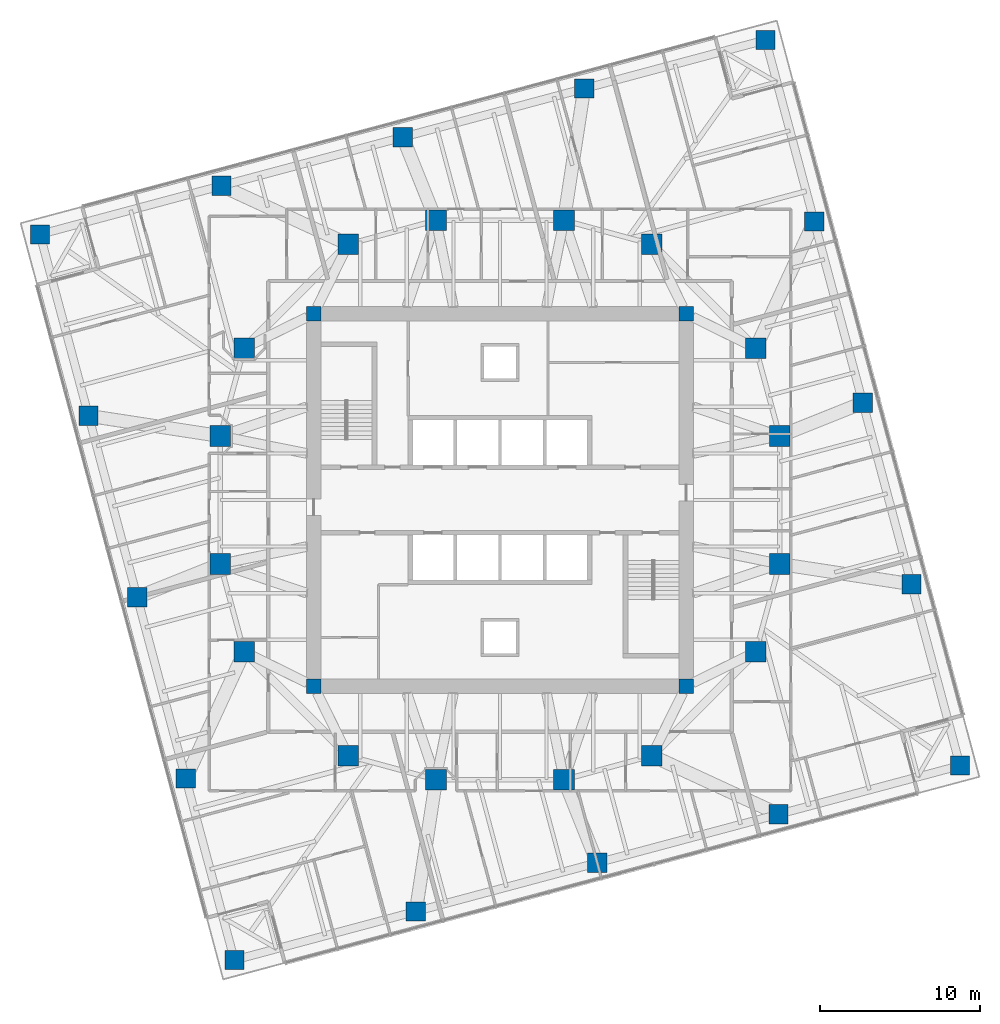
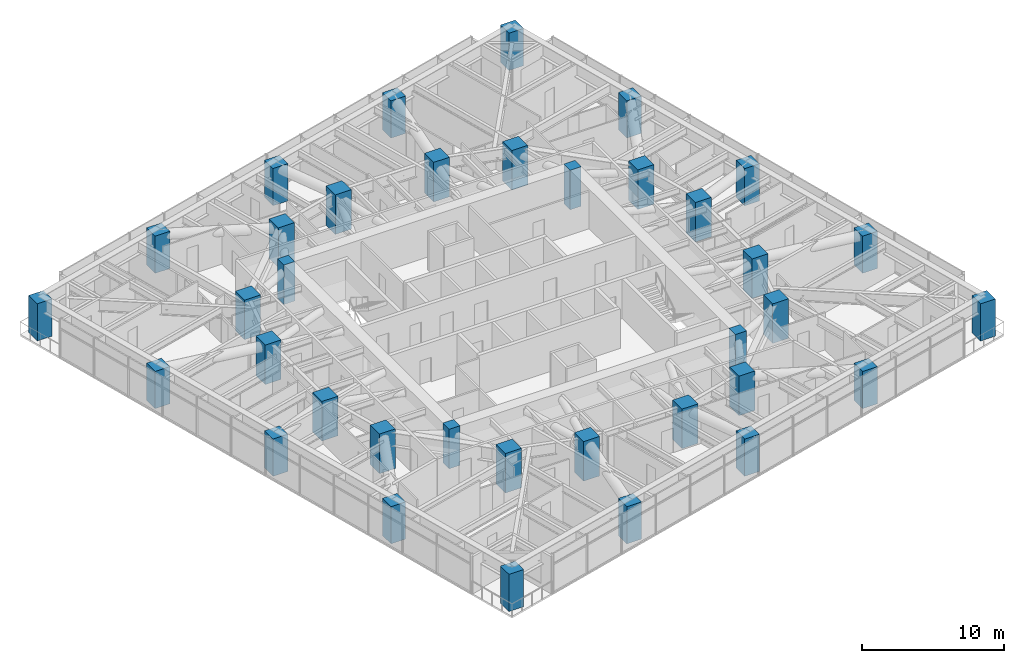
# One storey, part 1 of 18: 36 columns.
"""IFC4 building model written with IfcOpenShell, lengths in metres."""

from ifc_helpers import new_model, si_unit, direction, frame, origin, origin_2d, place, context, subcontext, project, spatial, rectangle, extrude, material, material_profile, profile_set, type_object, element, save


model = new_model("IFC4")

# Units and contexts
model_context = context("Model", 3, precision=1e-05, world=origin(), true_north=direction((0.0, 1.0)))
body_context = subcontext(model_context, "Body", "Model", "MODEL_VIEW")
ifc_project = project(units=[si_unit("LENGTHUNIT", "METRE"), si_unit("AREAUNIT", "SQUARE_METRE"), si_unit("VOLUMEUNIT", "CUBIC_METRE"), si_unit("PLANEANGLEUNIT", "RADIAN"), si_unit("MASSUNIT", "GRAM", prefix="KILO")], contexts=[model_context])

# Site, building, storey
site_placement = place(None, origin())
site = spatial("IfcSite", under=ifc_project, at=site_placement, CompositionType="ELEMENT")
building_placement = place(site_placement, origin())
building = spatial("IfcBuilding", under=site, at=building_placement, Name="Torsade Residences", CompositionType="ELEMENT")
storey_placement = place(building_placement, frame((0.0, 0.0, 135.39990234375)))
storey = spatial("IfcBuildingStorey", under=building, at=storey_placement, Name="L37", CompositionType="ELEMENT", Elevation=135.39990234375)

# Columns
ifc_material_1 = material(Name="Concrete 80 MPa", Category="concrete")
ifc_material_profile_1 = material_profile(ifc_material_1, rectangle(XDim=0.89990234375, YDim=0.89990234375, at=origin_2d()), Name="RC 900x900")
ifc_profile_set_1 = profile_set([ifc_material_profile_1], Name="Concrete 80 MPa")
column_type_1 = type_object("IfcColumnType", Name="CORE CORNER COLUMN RC 900x900", PredefinedType="COLUMN", material=ifc_profile_set_1)
for number, where, z_axis, x_axis, name in (
    (1, (28.35009765625, 18.35009765625, 0.0), (0.0, 0.0, 1.0), (1.0, 0.0, 0.0), "Core corner column CC1 L37"),
    (2, (51.64990234375, 18.35009765625, 0.0), (0.0, 0.0, 1.0), (1.0, 0.0, 0.0), "Core corner column CC2 L37"),
    (3, (51.64990234375, 41.64990234375, 0.0), (0.0, 0.0, 1.0), (1.0, 0.0, 0.0), "Core corner column CC3 L37"),
    (4, (28.35009765625, 41.64990234375, 0.0), (0.0, 0.0, 1.0), (1.0, 0.0, 0.0), "Core corner column CC4 L37"),
):
    element("IfcColumn", number, at=place(storey_placement, frame(where, z_axis=z_axis, x_axis=x_axis)), inside=storey, type_object=column_type_1, Name=name, PredefinedType="COLUMN", context=body_context, shape_type="SweptSolid", body=[
        extrude(rectangle(XDim=0.89990234375, YDim=0.89990234375, at=origin_2d()), origin(), (0.0, 0.0, 1.0), 3.400146484375),
    ])
ifc_material_2 = material(Name="Concrete 80 MPa", Category="concrete")
ifc_material_profile_2 = material_profile(ifc_material_2, rectangle(XDim=1.300048828125, YDim=1.300048828125, at=origin_2d()), Name="RC 1300x1300")
ifc_profile_set_2 = profile_set([ifc_material_profile_2], Name="Concrete 80 MPa")
column_type_2 = type_object("IfcColumnType", Name="INNER RING COLUMN RC 1300x1300", PredefinedType="COLUMN", material=ifc_profile_set_2)
for number, where, z_axis, x_axis, name in (
    (5, (57.5, 26.0, 0.0), (0.0, 0.0, 1.0), (1.0, 0.0, 0.0), "Inner ring column IR01 L37"),
    (6, (57.5, 34.0, 0.0), (0.0, 0.0, 1.0), (1.0, 0.0, 0.0), "Inner ring column IR02 L37"),
    (7, (56.0, 39.5, 0.0), (0.0, 0.0, 1.0), (1.0, 0.0, 0.0), "Inner ring column IR03 L37"),
    (8, (49.5, 46.0, 0.0), (0.0, 0.0, 1.0), (1.0, 0.0, 0.0), "Inner ring column IR04 L37"),
    (9, (44.0, 47.5, 0.0), (0.0, 0.0, 1.0), (1.0, 0.0, 0.0), "Inner ring column IR05 L37"),
    (10, (36.0, 47.5, 0.0), (0.0, 0.0, 1.0), (1.0, 0.0, 0.0), "Inner ring column IR06 L37"),
    (11, (30.5, 46.0, 0.0), (0.0, 0.0, 1.0), (1.0, 0.0, 0.0), "Inner ring column IR07 L37"),
    (12, (24.0, 39.5, 0.0), (0.0, 0.0, 1.0), (1.0, 0.0, 0.0), "Inner ring column IR08 L37"),
    (13, (22.5, 34.0, 0.0), (0.0, 0.0, 1.0), (1.0, 0.0, 0.0), "Inner ring column IR09 L37"),
    (14, (22.5, 26.0, 0.0), (0.0, 0.0, 1.0), (1.0, 0.0, 0.0), "Inner ring column IR10 L37"),
    (15, (24.0, 20.5, 0.0), (0.0, 0.0, 1.0), (1.0, 0.0, 0.0), "Inner ring column IR11 L37"),
    (16, (30.5, 14.0, 0.0), (0.0, 0.0, 1.0), (1.0, 0.0, 0.0), "Inner ring column IR12 L37"),
    (17, (36.0, 12.5, 0.0), (0.0, 0.0, 1.0), (1.0, 0.0, 0.0), "Inner ring column IR13 L37"),
    (18, (44.0, 12.5, 0.0), (0.0, 0.0, 1.0), (1.0, 0.0, 0.0), "Inner ring column IR14 L37"),
    (19, (49.5, 14.0, 0.0), (0.0, 0.0, 1.0), (1.0, 0.0, 0.0), "Inner ring column IR15 L37"),
    (20, (56.0, 20.5, 0.0), (0.0, 0.0, 1.0), (1.0, 0.0, 0.0), "Inner ring column IR16 L37"),
):
    element("IfcColumn", number, at=place(storey_placement, frame(where, z_axis=z_axis, x_axis=x_axis)), inside=storey, type_object=column_type_2, Name=name, PredefinedType="COLUMN", context=body_context, shape_type="SweptSolid", body=[
        extrude(rectangle(XDim=1.300048828125, YDim=1.300048828125, at=origin_2d()), origin(), (0.0, 0.0, 1.0), 3.400146484375),
    ])
ifc_material_3 = material(Name="Concrete 80 MPa", Category="concrete")
ifc_material_profile_3 = material_profile(ifc_material_3, rectangle(XDim=1.199951171875, YDim=1.199951171875, at=origin_2d()), Name="RC 1200x1200")
ifc_profile_set_3 = profile_set([ifc_material_profile_3], Name="Concrete 80 MPa")
column_type_3 = type_object("IfcColumnType", Name="TOWER COLUMN RC 1200x1200", PredefinedType="COLUMN", material=ifc_profile_set_3)
for number, where, z_axis, x_axis, name in (
    (21, (23.383056640625, 1.218505859375, 0.0), (0.0, 0.0, 1.0), (1.0, 0.0, 0.0), "Column TC4-01 L37"),
    (22, (34.732666015625, 4.259521484375, 0.0), (0.0, 0.0, 1.0), (1.0, 0.0, 0.0), "Column TC4-02 L37"),
    (23, (46.082275390625, 7.30078125, 0.0), (0.0, 0.0, 1.0), (1.0, 0.0, 0.0), "Column TC4-03 L37"),
    (24, (57.431884765625, 10.341796875, 0.0), (0.0, 0.0, 1.0), (1.0, 0.0, 0.0), "Column TC4-04 L37"),
    (25, (68.781494140625, 13.383056640625, 0.0), (0.0, 0.0, 1.0), (1.0, 0.0, 0.0), "Column TC4-05 L37"),
    (26, (65.740478515625, 24.732666015625, 0.0), (0.0, 0.0, 1.0), (1.0, 0.0, 0.0), "Column TC4-06 L37"),
    (27, (62.69921875, 36.082275390625, 0.0), (0.0, 0.0, 1.0), (1.0, 0.0, 0.0), "Column TC4-07 L37"),
    (28, (59.658203125, 47.431884765625, 0.0), (0.0, 0.0, 1.0), (1.0, 0.0, 0.0), "Column TC4-08 L37"),
    (29, (56.616943359375, 58.781494140625, 0.0), (0.0, 0.0, 1.0), (1.0, 0.0, 0.0), "Column TC4-09 L37"),
    (30, (45.267333984375, 55.740478515625, 0.0), (0.0, 0.0, 1.0), (1.0, 0.0, 0.0), "Column TC4-10 L37"),
    (31, (33.917724609375, 52.69921875, 0.0), (0.0, 0.0, 1.0), (1.0, 0.0, 0.0), "Column TC4-11 L37"),
    (32, (22.568115234375, 49.658203125, 0.0), (0.0, 0.0, 1.0), (1.0, 0.0, 0.0), "Column TC4-12 L37"),
    (33, (11.218505859375, 46.616943359375, 0.0), (0.0, 0.0, 1.0), (1.0, 0.0, 0.0), "Column TC4-13 L37"),
    (34, (14.259521484375, 35.267333984375, 0.0), (0.0, 0.0, 1.0), (1.0, 0.0, 0.0), "Column TC4-14 L37"),
    (35, (17.30078125, 23.917724609375, 0.0), (0.0, 0.0, 1.0), (1.0, 0.0, 0.0), "Column TC4-15 L37"),
    (36, (20.341796875, 12.568115234375, 0.0), (0.0, 0.0, 1.0), (1.0, 0.0, 0.0), "Column TC4-16 L37"),
):
    element("IfcColumn", number, at=place(storey_placement, frame(where, z_axis=z_axis, x_axis=x_axis)), inside=storey, type_object=column_type_3, Name=name, PredefinedType="COLUMN", context=body_context, shape_type="SweptSolid", body=[
        extrude(rectangle(XDim=1.199951171875, YDim=1.199951171875, at=origin_2d()), origin(), (0.0, 0.0, 1.0), 3.2001953125),
    ])

save(model, "model.ifc")
